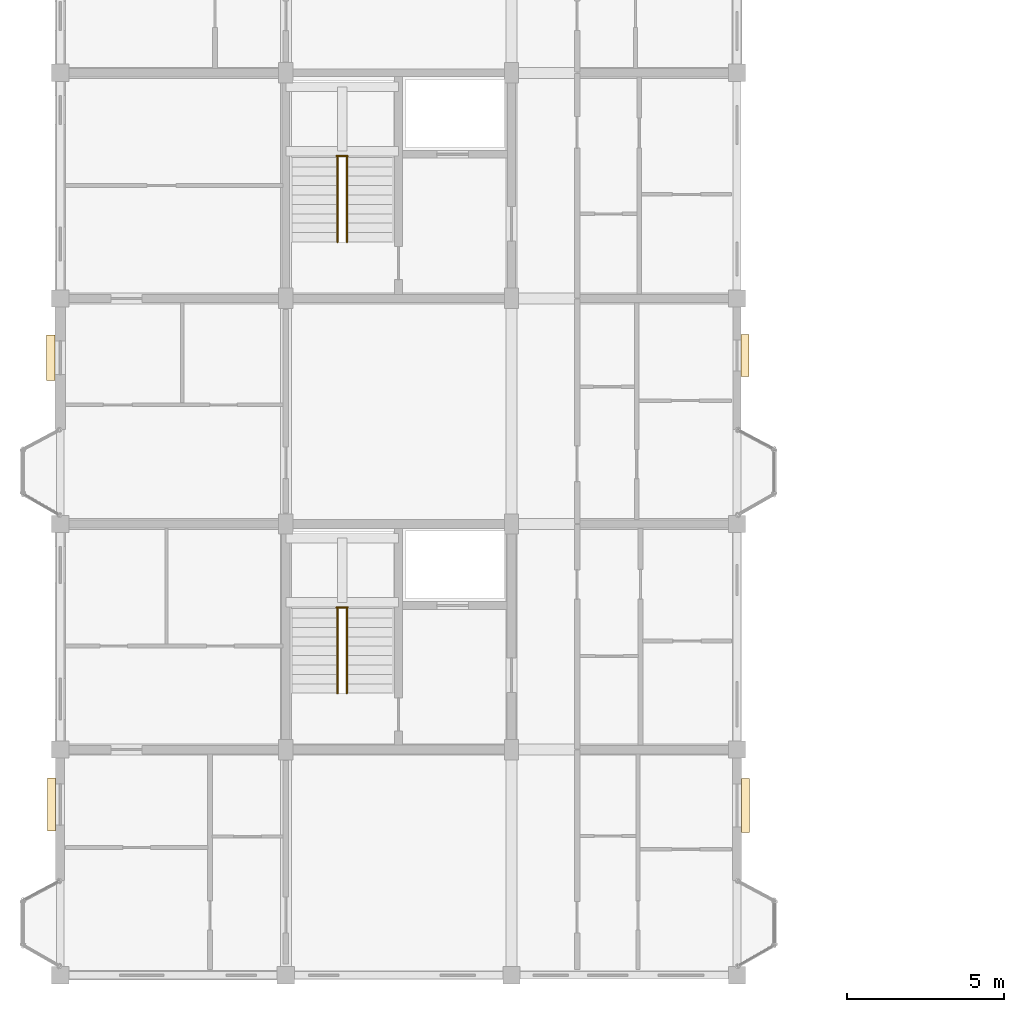
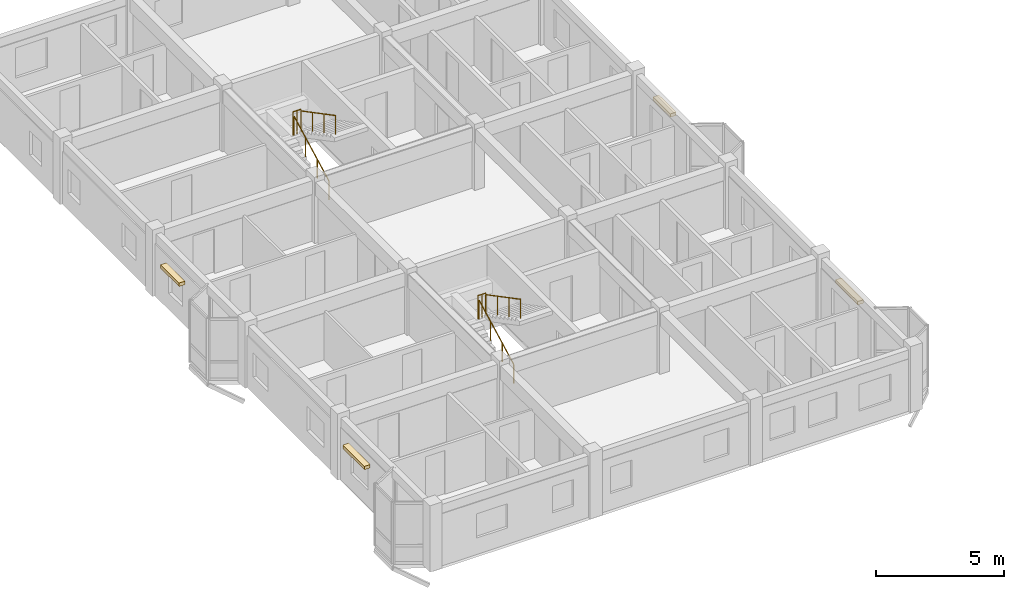
# One storey, part 75 of 77: 6 railings, 4 coverings.
"""IFC4 building model written with IfcOpenShell, lengths in metres."""

from ifc_helpers import new_model, si_unit, direction, frame, origin, origin_2d, place, context, subcontext, project, spatial, rectangle, circle, extrude, material, layer, layer_set, type_object, element, save


model = new_model("IFC4")

# Units and contexts
model_context = context("Model", 3, precision=1e-05, world=origin(), true_north=direction((0.0, 1.0)))
body_context = subcontext(model_context, "Body", "Model", "MODEL_VIEW")
ifc_project = project(units=[si_unit("LENGTHUNIT", "METRE"), si_unit("AREAUNIT", "SQUARE_METRE"), si_unit("VOLUMEUNIT", "CUBIC_METRE"), si_unit("PLANEANGLEUNIT", "RADIAN"), si_unit("MASSUNIT", "GRAM", prefix="KILO"), si_unit("THERMODYNAMICTEMPERATUREUNIT", "KELVIN"), si_unit("POWERUNIT", "WATT")], contexts=[model_context])

# Site, building, storey
site_placement = place(None, origin())
site = spatial("IfcSite", under=ifc_project, at=site_placement, CompositionType="ELEMENT")
building_placement = place(site_placement, origin())
building = spatial("IfcBuilding", under=site, at=building_placement, Name="Tavuni Mirador Residences", CompositionType="ELEMENT")
storey_placement = place(building_placement, frame((0.0, 0.0, 10.800048828125)))
storey = spatial("IfcBuildingStorey", under=building, at=storey_placement, Name="L03", CompositionType="ELEMENT", Elevation=10.800048828125)

# Coverings
ifc_material_1 = material(Name="Natural coral limestone", Category="masonry")
ifc_layer = layer(ifc_material_1, 0.054931640625, Name="Natural coral limestone", Category="masonry")
ifc_layer_set = layer_set([ifc_layer], Name="Natural coral limestone")
covering_type = type_object("IfcCoveringType", Name="CVT-CLAD-CORAL", PredefinedType="CLADDING", material=ifc_layer_set)
covering_1_placement = place(storey_placement, frame((25.471923828125, 70.217529296875, 2.06005859375), z_axis=(0.0, 0.0, 1.0), x_axis=(0.0, 1.0, 0.0)))
element("IfcCovering", 1, at=covering_1_placement, inside=storey, type_object=covering_type, Name="HOOD-0386", PredefinedType="CLADDING", context=body_context, shape_type="SweptSolid", body=[
    extrude(rectangle(XDim=1.719970703125, YDim=0.260009765625, at=origin_2d()), origin(), (0.0, 0.0, 1.0), 0.159912109375),
])
covering_2_placement = place(storey_placement, frame((25.45458984375, 84.577392578125, 2.16015625), z_axis=(0.0, 0.0, 1.0), x_axis=(0.0, 1.0, 0.0)))
element("IfcCovering", 2, at=covering_2_placement, inside=storey, type_object=covering_type, Name="HOOD-0387", PredefinedType="CLADDING", context=body_context, shape_type="SweptSolid", body=[
    extrude(rectangle(XDim=1.340087890625, YDim=0.260009765625, at=origin_2d()), origin(), (0.0, 0.0, 1.0), 0.159912109375),
])
covering_3_placement = place(storey_placement, frame((3.300537109375, 84.507568359375, 1.9501953125), z_axis=(0.0, 0.0, 1.0), x_axis=(0.0, -1.0, 0.0)))
element("IfcCovering", 3, at=covering_3_placement, inside=storey, type_object=covering_type, Name="HOOD-0388", PredefinedType="CLADDING", context=body_context, shape_type="SweptSolid", body=[
    extrude(rectangle(XDim=1.43994140625, YDim=0.260009765625, at=origin_2d()), origin(), (0.0, 0.0, 1.0), 0.159912109375),
])
covering_4_placement = place(storey_placement, frame((3.327880859375, 70.24755859375, 1.9501953125), z_axis=(0.0, 0.0, 1.0), x_axis=(0.0, -1.0, 0.0)))
element("IfcCovering", 4, at=covering_4_placement, inside=storey, type_object=covering_type, Name="HOOD-0389", PredefinedType="CLADDING", context=body_context, shape_type="SweptSolid", body=[
    extrude(rectangle(XDim=1.679931640625, YDim=0.260009765625, at=origin_2d()), origin(), (0.0, 0.0, 1.0), 0.159912109375),
])

# Railings
ifc_material_2 = material(Name="Structural steel S355", Category="steel")
railing_type_1 = type_object("IfcRailingType", Name="RT-GR1120", PredefinedType="GUARDRAIL", material=ifc_material_2)
for number, where, name in (
    (5, (12.419921875, 76.5400390625, 1.574951171875), "GRD-HL-ST3-L03"),
    (6, (12.419921875, 90.93994140625, 1.574951171875), "GRD-HL-ST4-L03"),
):
    element("IfcRailing", number, at=place(storey_placement, frame(where)), inside=storey, type_object=railing_type_1, Name=name, PredefinedType="GUARDRAIL", context=body_context, shape_type="SweptSolid", body=[
        extrude(circle(Radius=0.02392578125, at=origin_2d()), frame((0.0, 0.0, 1.09619140625), z_axis=(1.0, 0.0, 0.0), x_axis=(0.0, 1.0, 0.0)), (0.0, 0.0, 1.0), 0.360107421875),
        extrude(circle(Radius=0.02099609375, at=origin_2d()), origin(), (0.0, 0.0, 1.0), 1.072021484375),
        extrude(circle(Radius=0.02099609375, at=origin_2d()), frame((0.18017578125, 0.0, 0.0)), (0.0, 0.0, 1.0), 1.072021484375),
        extrude(circle(Radius=0.02099609375, at=origin_2d()), frame((0.360107421875, 0.0, 0.0)), (0.0, 0.0, 1.0), 1.072021484375),
    ])
railing_type_2 = type_object("IfcRailingType", Name="RT-HR920", PredefinedType="HANDRAIL", material=ifc_material_2)
railing_1_placement = place(storey_placement, frame((12.449951171875, 73.800048828125, 0.157470703125)))
element("IfcRailing", 7, at=railing_1_placement, inside=storey, type_object=railing_type_2, Name="HR-ST3-L03-F1", PredefinedType="HANDRAIL", context=body_context, shape_type="SweptSolid", body=[
    extrude(circle(Radius=0.02392578125, at=origin_2d()), frame((0.0, 0.0, 0.89599609375), z_axis=(0.0, 0.885397079081, 0.464835468048), x_axis=(-1.0, 0.0, 0.0)), (0.0, 0.0, 1.0), 3.04931640625),
    extrude(circle(Radius=0.02099609375, at=origin_2d()), origin(), (0.0, 0.0, 1.0), 0.871826171875),
    extrude(circle(Radius=0.02099609375, at=origin_2d()), frame((0.0, 0.89990234375, 0.472412109375)), (0.0, 0.0, 1.0), 0.871826171875),
    extrude(circle(Radius=0.02099609375, at=origin_2d()), frame((0.0, 1.800048828125, 0.945068359375)), (0.0, 0.0, 1.0), 0.871826171875),
    extrude(circle(Radius=0.02099609375, at=origin_2d()), frame((0.0, 2.699951171875, 1.41748046875)), (0.0, 0.0, 1.0), 0.871826171875),
])
railing_2_placement = place(storey_placement, frame((12.75, 76.5, 1.732421875)))
element("IfcRailing", 8, at=railing_2_placement, inside=storey, type_object=railing_type_2, Name="HR-ST3-L03-F2", PredefinedType="HANDRAIL", context=body_context, shape_type="SweptSolid", body=[
    extrude(circle(Radius=0.02392578125, at=origin_2d()), frame((0.0, 0.0, 0.89599609375), z_axis=(0.0, -0.885397079081, 0.464835468048), x_axis=(1.0, 0.0, 0.0)), (0.0, 0.0, 1.0), 3.04931640625),
    extrude(circle(Radius=0.02099609375, at=origin_2d()), origin(), (0.0, 0.0, 1.0), 0.871826171875),
    extrude(circle(Radius=0.02099609375, at=origin_2d()), frame((0.0, -0.89990234375, 0.472412109375)), (0.0, 0.0, 1.0), 0.871826171875),
    extrude(circle(Radius=0.02099609375, at=origin_2d()), frame((0.0, -1.800048828125, 0.945068359375)), (0.0, 0.0, 1.0), 0.871826171875),
    extrude(circle(Radius=0.02099609375, at=origin_2d()), frame((0.0, -2.699951171875, 1.41748046875)), (0.0, 0.0, 1.0), 0.871826171875),
])
railing_3_placement = place(storey_placement, frame((12.449951171875, 88.199951171875, 0.157470703125)))
element("IfcRailing", 9, at=railing_3_placement, inside=storey, type_object=railing_type_2, Name="HR-ST4-L03-F1", PredefinedType="HANDRAIL", context=body_context, shape_type="SweptSolid", body=[
    extrude(circle(Radius=0.02392578125, at=origin_2d()), frame((0.0, 0.0, 0.89599609375), z_axis=(0.0, 0.885397079081, 0.464835468048), x_axis=(-1.0, 0.0, 0.0)), (0.0, 0.0, 1.0), 3.04931640625),
    extrude(circle(Radius=0.02099609375, at=origin_2d()), origin(), (0.0, 0.0, 1.0), 0.871826171875),
    extrude(circle(Radius=0.02099609375, at=origin_2d()), frame((0.0, 0.89990234375, 0.472412109375)), (0.0, 0.0, 1.0), 0.871826171875),
    extrude(circle(Radius=0.02099609375, at=origin_2d()), frame((0.0, 1.800048828125, 0.945068359375)), (0.0, 0.0, 1.0), 0.871826171875),
    extrude(circle(Radius=0.02099609375, at=origin_2d()), frame((0.0, 2.699951171875, 1.41748046875)), (0.0, 0.0, 1.0), 0.871826171875),
])
railing_4_placement = place(storey_placement, frame((12.75, 90.89990234375, 1.732421875)))
element("IfcRailing", 10, at=railing_4_placement, inside=storey, type_object=railing_type_2, Name="HR-ST4-L03-F2", PredefinedType="HANDRAIL", context=body_context, shape_type="SweptSolid", body=[
    extrude(circle(Radius=0.02392578125, at=origin_2d()), frame((0.0, 0.0, 0.89599609375), z_axis=(0.0, -0.885397079081, 0.464835468048), x_axis=(1.0, 0.0, 0.0)), (0.0, 0.0, 1.0), 3.04931640625),
    extrude(circle(Radius=0.02099609375, at=origin_2d()), origin(), (0.0, 0.0, 1.0), 0.871826171875),
    extrude(circle(Radius=0.02099609375, at=origin_2d()), frame((0.0, -0.89990234375, 0.472412109375)), (0.0, 0.0, 1.0), 0.871826171875),
    extrude(circle(Radius=0.02099609375, at=origin_2d()), frame((0.0, -1.800048828125, 0.945068359375)), (0.0, 0.0, 1.0), 0.871826171875),
    extrude(circle(Radius=0.02099609375, at=origin_2d()), frame((0.0, -2.699951171875, 1.41748046875)), (0.0, 0.0, 1.0), 0.871826171875),
])

save(model, "model.ifc")
